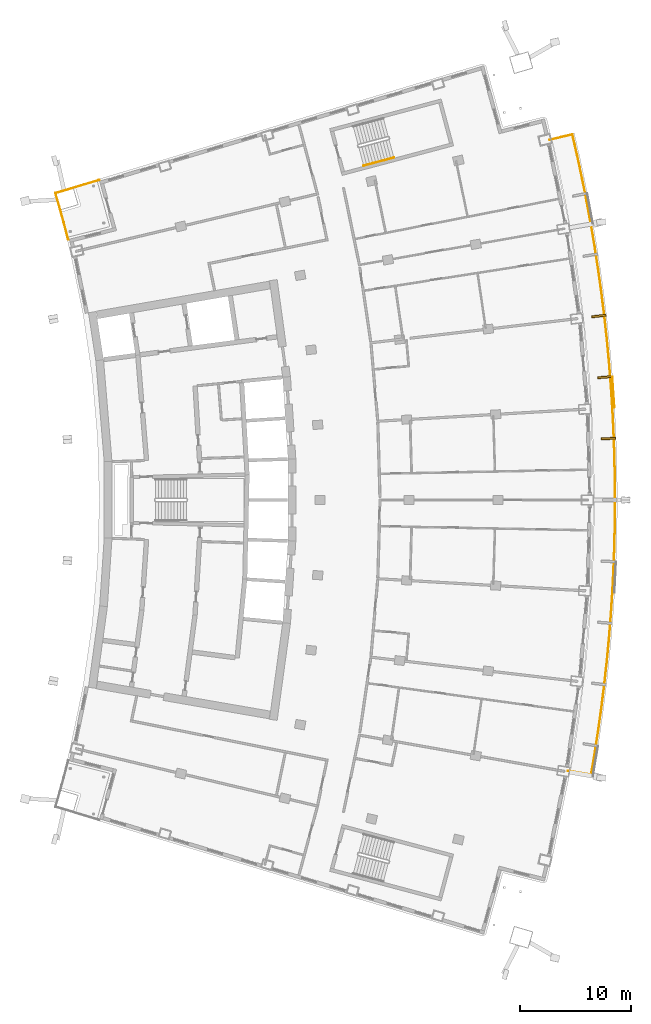
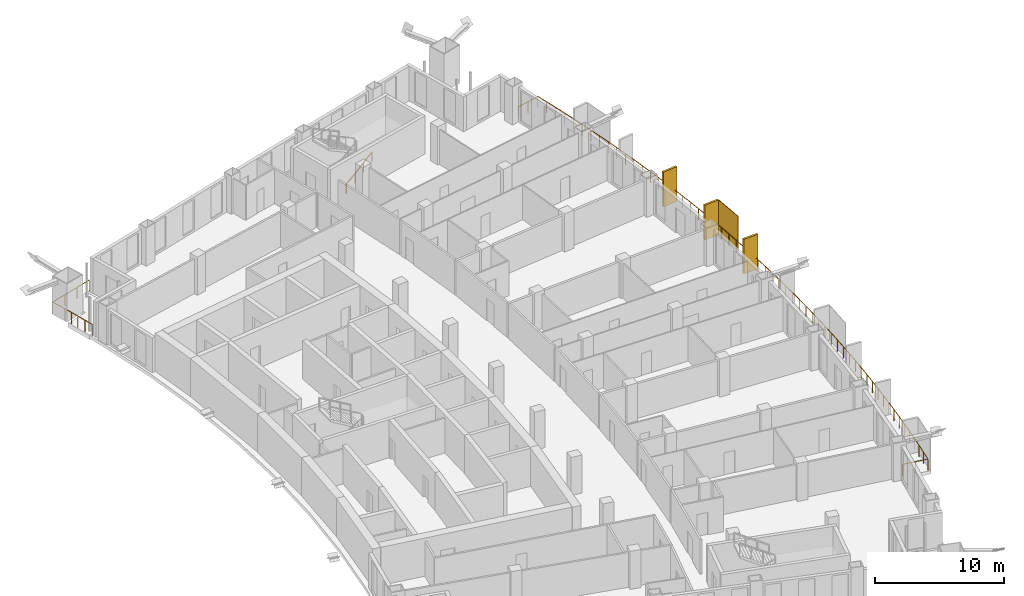
# One storey, part 21 of 22: 4 shading devices, 3 railings.
"""IFC4 building model written with IfcOpenShell, lengths in metres."""

from ifc_helpers import new_model, si_unit, direction, frame, origin, origin_2d, place, context, subcontext, project, spatial, rectangle, extrude, material, layer, layer_set, type_object, element, save


model = new_model("IFC4")

# Units and contexts
model_context = context("Model", 3, precision=1e-05, world=origin(), true_north=direction((0.0, 1.0)))
body_context = subcontext(model_context, "Body", "Model", "MODEL_VIEW")
ifc_project = project(units=[si_unit("LENGTHUNIT", "METRE"), si_unit("AREAUNIT", "SQUARE_METRE"), si_unit("VOLUMEUNIT", "CUBIC_METRE"), si_unit("PLANEANGLEUNIT", "RADIAN"), si_unit("MASSUNIT", "GRAM", prefix="KILO")], contexts=[model_context])

# Site, building, storey
site_placement = place(None, origin())
site = spatial("IfcSite", under=ifc_project, at=site_placement, CompositionType="ELEMENT")
building_placement = place(site_placement, origin())
building = spatial("IfcBuilding", under=site, at=building_placement, Name="Alderwake Tower", CompositionType="ELEMENT")
storey_placement = place(building_placement, frame((0.0, 0.0, 156.800048828125)))
storey = spatial("IfcBuildingStorey", under=building, at=storey_placement, Name="L38", CompositionType="ELEMENT", Elevation=156.800048828125)

# Railings
ifc_material_1 = material(Name="Stainless steel 316 rail and posts", Category="steel")
railing_type_1 = type_object("IfcRailingType", Name="Balcony guard 1100", PredefinedType="GUARDRAIL", material=ifc_material_1)
railing_1_placement = place(storey_placement, frame((58.07568359375, 36.68701171875, 0.0)))
element("IfcRailing", 1, at=railing_1_placement, inside=storey, type_object=railing_type_1, Name="Guard BF04", PredefinedType="GUARDRAIL", context=body_context, shape_type="SweptSolid", body=[
    extrude(rectangle(XDim=0.048095703125, YDim=0.048095703125, at=origin_2d()), frame((0.0, 0.0, 1.076171875), z_axis=(0.984864202872, -0.173327729755, 0.0), x_axis=(0.173327729755, 0.984864202872, 0.0)), (0.0, 0.0, 1.0), 2.10009765625),
    extrude(rectangle(XDim=0.048095703125, YDim=0.048095703125, at=origin_2d()), frame((2.068359375, -0.364013671875, 1.076171875), z_axis=(0.166503332241, 0.986040891826, 0.0), x_axis=(-0.986040891826, 0.166503332241, 0.0)), (0.0, 0.0, 1.0), 1.97509765625),
    extrude(rectangle(XDim=0.048095703125, YDim=0.048095703125, at=origin_2d()), frame((2.397216796875, 1.58349609375, 1.076171875), z_axis=(0.152596463053, 0.988288581065, 0.0), x_axis=(-0.988288581065, 0.152596463053, 0.0)), (0.0, 0.0, 1.0), 2.0751953125),
    extrude(rectangle(XDim=0.048095703125, YDim=0.048095703125, at=origin_2d()), frame((2.7138671875, 3.63427734375, 1.076171875), z_axis=(0.138110156817, 0.990416874141, 0.0), x_axis=(-0.990416874141, 0.138110156817, 0.0)), (0.0, 0.0, 1.0), 2.0751953125),
    extrude(rectangle(XDim=0.048095703125, YDim=0.048095703125, at=origin_2d()), frame((3.00048828125, 5.689697265625, 1.076171875), z_axis=(0.123643785087, 0.992326667186, 0.0), x_axis=(-0.992326667186, 0.123643785087, 0.0)), (0.0, 0.0, 1.0), 2.0751953125),
    extrude(rectangle(XDim=0.048095703125, YDim=0.048095703125, at=origin_2d()), frame((3.257080078125, 7.7490234375, 1.076171875), z_axis=(0.109062650224, 0.994034877822, 0.0), x_axis=(-0.994034877822, 0.109062650224, 0.0)), (0.0, 0.0, 1.0), 2.0751953125),
    extrude(rectangle(XDim=0.048095703125, YDim=0.048095703125, at=origin_2d()), frame((3.4833984375, 9.811767578125, 1.076171875), z_axis=(0.094703608838, 0.99550551303, 0.0), x_axis=(-0.99550551303, 0.094703608838, 0.0)), (0.0, 0.0, 1.0), 2.0751953125),
    extrude(rectangle(XDim=0.048095703125, YDim=0.048095703125, at=origin_2d()), frame((3.679931640625, 11.877685546875, 1.076171875), z_axis=(0.080114603316, 0.996785659174, 0.0), x_axis=(-0.996785659174, 0.080114603316, 0.0)), (0.0, 0.0, 1.0), 2.0751953125),
    extrude(rectangle(XDim=0.048095703125, YDim=0.048095703125, at=origin_2d()), frame((3.84619140625, 13.9462890625, 1.076171875), z_axis=(0.065652181711, 0.997842568262, 0.0), x_axis=(-0.997842568262, 0.065652181711, 0.0)), (0.0, 0.0, 1.0), 2.074951171875),
    extrude(rectangle(XDim=0.048095703125, YDim=0.048095703125, at=origin_2d()), frame((3.982421875, 16.016845703125, 1.076171875), z_axis=(0.050940961426, 0.998701666389, 0.0), x_axis=(-0.998701666389, 0.050940961426, 0.0)), (0.0, 0.0, 1.0), 2.0751953125),
    extrude(rectangle(XDim=0.048095703125, YDim=0.048095703125, at=origin_2d()), frame((4.088134765625, 18.08935546875, 1.076171875), z_axis=(0.03647206835, 0.999334672785, 0.0), x_axis=(-0.999334672785, 0.03647206835, 0.0)), (0.0, 0.0, 1.0), 2.0751953125),
    extrude(rectangle(XDim=0.048095703125, YDim=0.048095703125, at=origin_2d()), frame((4.163818359375, 20.1630859375, 1.076171875), z_axis=(0.021882262081, 0.999760554636, 0.0), x_axis=(-0.999760554636, 0.021882262081, 0.0)), (0.0, 0.0, 1.0), 2.0751953125),
    extrude(rectangle(XDim=0.048095703125, YDim=0.048095703125, at=origin_2d()), frame((4.209228515625, 22.23779296875, 1.076171875), z_axis=(0.007293923616, 0.999973398985, 0.0), x_axis=(-0.999973398985, 0.007293923616, 0.0)), (0.0, 0.0, 1.0), 2.0751953125),
    extrude(rectangle(XDim=0.048095703125, YDim=0.048095703125, at=origin_2d()), frame((4.224365234375, 24.31298828125, 1.076171875), z_axis=(-0.007293923616, 0.999973398985, 0.0), x_axis=(-0.999973398985, -0.007293923616, 0.0)), (0.0, 0.0, 1.0), 2.0751953125),
    extrude(rectangle(XDim=0.048095703125, YDim=0.048095703125, at=origin_2d()), frame((4.209228515625, 26.38818359375, 1.076171875), z_axis=(-0.021882262081, 0.999760554636, 0.0), x_axis=(-0.999760554636, -0.021882262081, 0.0)), (0.0, 0.0, 1.0), 2.0751953125),
    extrude(rectangle(XDim=0.048095703125, YDim=0.048095703125, at=origin_2d()), frame((4.163818359375, 28.462890625, 1.076171875), z_axis=(-0.03647206835, 0.999334672785, 0.0), x_axis=(-0.999334672785, -0.03647206835, 0.0)), (0.0, 0.0, 1.0), 2.0751953125),
    extrude(rectangle(XDim=0.048095703125, YDim=0.048095703125, at=origin_2d()), frame((4.088134765625, 30.53662109375, 1.076171875), z_axis=(-0.050940961426, 0.998701666389, 0.0), x_axis=(-0.998701666389, -0.050940961426, 0.0)), (0.0, 0.0, 1.0), 2.0751953125),
    extrude(rectangle(XDim=0.048095703125, YDim=0.048095703125, at=origin_2d()), frame((3.982421875, 32.609130859375, 1.076171875), z_axis=(-0.065652181711, 0.997842568262, 0.0), x_axis=(-0.997842568262, -0.065652181711, 0.0)), (0.0, 0.0, 1.0), 2.074951171875),
    extrude(rectangle(XDim=0.048095703125, YDim=0.048095703125, at=origin_2d()), frame((3.84619140625, 34.6796875, 1.076171875), z_axis=(-0.080114603316, 0.996785659174, 0.0), x_axis=(-0.996785659174, -0.080114603316, 0.0)), (0.0, 0.0, 1.0), 2.0751953125),
    extrude(rectangle(XDim=0.048095703125, YDim=0.048095703125, at=origin_2d()), frame((3.679931640625, 36.748291015625, 1.076171875), z_axis=(-0.094703608838, 0.99550551303, 0.0), x_axis=(-0.99550551303, -0.094703608838, 0.0)), (0.0, 0.0, 1.0), 2.0751953125),
    extrude(rectangle(XDim=0.048095703125, YDim=0.048095703125, at=origin_2d()), frame((3.4833984375, 38.814208984375, 1.076171875), z_axis=(-0.109062650224, 0.994034877822, 0.0), x_axis=(-0.994034877822, -0.109062650224, 0.0)), (0.0, 0.0, 1.0), 2.0751953125),
    extrude(rectangle(XDim=0.048095703125, YDim=0.048095703125, at=origin_2d()), frame((3.257080078125, 40.876953125, 1.076171875), z_axis=(-0.123643785087, 0.992326667186, 0.0), x_axis=(-0.992326667186, -0.123643785087, 0.0)), (0.0, 0.0, 1.0), 2.0751953125),
    extrude(rectangle(XDim=0.048095703125, YDim=0.048095703125, at=origin_2d()), frame((3.00048828125, 42.936279296875, 1.076171875), z_axis=(-0.138110156817, 0.990416874141, 0.0), x_axis=(-0.990416874141, -0.138110156817, 0.0)), (0.0, 0.0, 1.0), 2.0751953125),
    extrude(rectangle(XDim=0.048095703125, YDim=0.048095703125, at=origin_2d()), frame((2.7138671875, 44.99169921875, 1.076171875), z_axis=(-0.152596463053, 0.988288581065, 0.0), x_axis=(-0.988288581065, -0.152596463053, 0.0)), (0.0, 0.0, 1.0), 2.0751953125),
    extrude(rectangle(XDim=0.048095703125, YDim=0.048095703125, at=origin_2d()), frame((2.397216796875, 47.04248046875, 1.076171875), z_axis=(-0.166821353244, 0.985987137899, 0.0), x_axis=(-0.985987137899, -0.166821353244, 0.0)), (0.0, 0.0, 1.0), 2.0751953125),
    extrude(rectangle(XDim=0.048095703125, YDim=0.048095703125, at=origin_2d()), frame((2.051025390625, 49.088623046875, 1.076171875), z_axis=(-0.181297176514, 0.983428357222, 0.0), x_axis=(-0.983428357222, -0.181297176514, 0.0)), (0.0, 0.0, 1.0), 2.0751953125),
    extrude(rectangle(XDim=0.048095703125, YDim=0.048095703125, at=origin_2d()), frame((1.6748046875, 51.12939453125, 1.076171875), z_axis=(-0.195641013677, 0.980675580285, 0.0), x_axis=(-0.980675580285, -0.195641013677, 0.0)), (0.0, 0.0, 1.0), 2.0751953125),
    extrude(rectangle(XDim=0.048095703125, YDim=0.048095703125, at=origin_2d()), frame((1.268798828125, 53.16455078125, 1.076171875), z_axis=(-0.20987454343, 0.97772832424, 0.0), x_axis=(-0.97772832424, -0.20987454343, 0.0)), (0.0, 0.0, 1.0), 2.0751953125),
    extrude(rectangle(XDim=0.048095703125, YDim=0.048095703125, at=origin_2d()), frame((0.833251953125, 55.193603515625, 1.076171875), z_axis=(-0.22384832601, 0.974623992595, 0.0), x_axis=(-0.974623992595, -0.22384832601, 0.0)), (0.0, 0.0, 1.0), 1.97509765625),
    extrude(rectangle(XDim=0.048095703125, YDim=0.048095703125, at=origin_2d()), frame((0.39111328125, 57.11865234375, 1.076171875), z_axis=(-0.97303154832, -0.230672074545, 0.0), x_axis=(0.230672074545, -0.97303154832, 0.0)), (0.0, 0.0, 1.0), 2.099853515625),
    extrude(rectangle(XDim=0.0419921875, YDim=0.0419921875, at=origin_2d()), frame((0.0, 0.0, 0.0), z_axis=(0.0, 0.0, 1.0), x_axis=(0.984864202872, -0.173327729755, 0.0)), (0.0, 0.0, 1.0), 1.052001953125),
    extrude(rectangle(XDim=0.0419921875, YDim=0.0419921875, at=origin_2d()), frame((1.0341796875, -0.18212890625, 0.0), z_axis=(0.0, 0.0, 1.0), x_axis=(0.984864202872, -0.173327729755, 0.0)), (0.0, 0.0, 1.0), 1.052001953125),
    extrude(rectangle(XDim=0.0419921875, YDim=0.0419921875, at=origin_2d()), frame((2.068359375, -0.364013671875, 0.0), z_axis=(0.0, 0.0, 1.0), x_axis=(0.166503332241, 0.986040891826, 0.0)), (0.0, 0.0, 1.0), 1.052001953125),
    extrude(rectangle(XDim=0.0419921875, YDim=0.0419921875, at=origin_2d()), frame((2.23291015625, 0.60986328125, 0.0), z_axis=(0.0, 0.0, 1.0), x_axis=(0.166503332241, 0.986040891826, 0.0)), (0.0, 0.0, 1.0), 1.052001953125),
    extrude(rectangle(XDim=0.0419921875, YDim=0.0419921875, at=origin_2d()), frame((2.397216796875, 1.58349609375, 0.0), z_axis=(0.0, 0.0, 1.0), x_axis=(0.152596463053, 0.988288581065, 0.0)), (0.0, 0.0, 1.0), 1.052001953125),
    extrude(rectangle(XDim=0.0419921875, YDim=0.0419921875, at=origin_2d()), frame((2.5556640625, 2.60888671875, 0.0), z_axis=(0.0, 0.0, 1.0), x_axis=(0.152596463053, 0.988288581065, 0.0)), (0.0, 0.0, 1.0), 1.052001953125),
    extrude(rectangle(XDim=0.0419921875, YDim=0.0419921875, at=origin_2d()), frame((2.7138671875, 3.63427734375, 0.0), z_axis=(0.0, 0.0, 1.0), x_axis=(0.138110156817, 0.990416874141, 0.0)), (0.0, 0.0, 1.0), 1.052001953125),
    extrude(rectangle(XDim=0.0419921875, YDim=0.0419921875, at=origin_2d()), frame((2.857177734375, 4.662109375, 0.0), z_axis=(0.0, 0.0, 1.0), x_axis=(0.138110156817, 0.990416874141, 0.0)), (0.0, 0.0, 1.0), 1.052001953125),
    extrude(rectangle(XDim=0.0419921875, YDim=0.0419921875, at=origin_2d()), frame((3.00048828125, 5.689697265625, 0.0), z_axis=(0.0, 0.0, 1.0), x_axis=(0.123643785087, 0.992326667186, 0.0)), (0.0, 0.0, 1.0), 1.052001953125),
    extrude(rectangle(XDim=0.0419921875, YDim=0.0419921875, at=origin_2d()), frame((3.12890625, 6.71923828125, 0.0), z_axis=(0.0, 0.0, 1.0), x_axis=(0.123643785087, 0.992326667186, 0.0)), (0.0, 0.0, 1.0), 1.052001953125),
    extrude(rectangle(XDim=0.0419921875, YDim=0.0419921875, at=origin_2d()), frame((3.257080078125, 7.7490234375, 0.0), z_axis=(0.0, 0.0, 1.0), x_axis=(0.109062650224, 0.994034877822, 0.0)), (0.0, 0.0, 1.0), 1.052001953125),
    extrude(rectangle(XDim=0.0419921875, YDim=0.0419921875, at=origin_2d()), frame((3.3701171875, 8.7802734375, 0.0), z_axis=(0.0, 0.0, 1.0), x_axis=(0.109062650224, 0.994034877822, 0.0)), (0.0, 0.0, 1.0), 1.052001953125),
    extrude(rectangle(XDim=0.0419921875, YDim=0.0419921875, at=origin_2d()), frame((3.4833984375, 9.811767578125, 0.0), z_axis=(0.0, 0.0, 1.0), x_axis=(0.094703608838, 0.99550551303, 0.0)), (0.0, 0.0, 1.0), 1.052001953125),
    extrude(rectangle(XDim=0.0419921875, YDim=0.0419921875, at=origin_2d()), frame((3.58154296875, 10.8447265625, 0.0), z_axis=(0.0, 0.0, 1.0), x_axis=(0.094703608838, 0.99550551303, 0.0)), (0.0, 0.0, 1.0), 1.052001953125),
    extrude(rectangle(XDim=0.0419921875, YDim=0.0419921875, at=origin_2d()), frame((3.679931640625, 11.877685546875, 0.0), z_axis=(0.0, 0.0, 1.0), x_axis=(0.080114603316, 0.996785659174, 0.0)), (0.0, 0.0, 1.0), 1.052001953125),
    extrude(rectangle(XDim=0.0419921875, YDim=0.0419921875, at=origin_2d()), frame((3.76318359375, 12.912109375, 0.0), z_axis=(0.0, 0.0, 1.0), x_axis=(0.080114603316, 0.996785659174, 0.0)), (0.0, 0.0, 1.0), 1.052001953125),
    extrude(rectangle(XDim=0.0419921875, YDim=0.0419921875, at=origin_2d()), frame((3.84619140625, 13.9462890625, 0.0), z_axis=(0.0, 0.0, 1.0), x_axis=(0.065652181711, 0.997842568262, 0.0)), (0.0, 0.0, 1.0), 1.052001953125),
    extrude(rectangle(XDim=0.0419921875, YDim=0.0419921875, at=origin_2d()), frame((3.914306640625, 14.9814453125, 0.0), z_axis=(0.0, 0.0, 1.0), x_axis=(0.065652181711, 0.997842568262, 0.0)), (0.0, 0.0, 1.0), 1.052001953125),
    extrude(rectangle(XDim=0.0419921875, YDim=0.0419921875, at=origin_2d()), frame((3.982421875, 16.016845703125, 0.0), z_axis=(0.0, 0.0, 1.0), x_axis=(0.050940961426, 0.998701666389, 0.0)), (0.0, 0.0, 1.0), 1.052001953125),
    extrude(rectangle(XDim=0.0419921875, YDim=0.0419921875, at=origin_2d()), frame((4.03515625, 17.05322265625, 0.0), z_axis=(0.0, 0.0, 1.0), x_axis=(0.050940961426, 0.998701666389, 0.0)), (0.0, 0.0, 1.0), 1.052001953125),
    extrude(rectangle(XDim=0.0419921875, YDim=0.0419921875, at=origin_2d()), frame((4.088134765625, 18.08935546875, 0.0), z_axis=(0.0, 0.0, 1.0), x_axis=(0.03647206835, 0.999334672785, 0.0)), (0.0, 0.0, 1.0), 1.052001953125),
    extrude(rectangle(XDim=0.0419921875, YDim=0.0419921875, at=origin_2d()), frame((4.1259765625, 19.126220703125, 0.0), z_axis=(0.0, 0.0, 1.0), x_axis=(0.03647206835, 0.999334672785, 0.0)), (0.0, 0.0, 1.0), 1.052001953125),
    extrude(rectangle(XDim=0.0419921875, YDim=0.0419921875, at=origin_2d()), frame((4.163818359375, 20.1630859375, 0.0), z_axis=(0.0, 0.0, 1.0), x_axis=(0.021882262081, 0.999760554636, 0.0)), (0.0, 0.0, 1.0), 1.052001953125),
    extrude(rectangle(XDim=0.0419921875, YDim=0.0419921875, at=origin_2d()), frame((4.1865234375, 21.200439453125, 0.0), z_axis=(0.0, 0.0, 1.0), x_axis=(0.021882262081, 0.999760554636, 0.0)), (0.0, 0.0, 1.0), 1.052001953125),
    extrude(rectangle(XDim=0.0419921875, YDim=0.0419921875, at=origin_2d()), frame((4.209228515625, 22.23779296875, 0.0), z_axis=(0.0, 0.0, 1.0), x_axis=(0.007293923616, 0.999973398985, 0.0)), (0.0, 0.0, 1.0), 1.052001953125),
    extrude(rectangle(XDim=0.0419921875, YDim=0.0419921875, at=origin_2d()), frame((4.216796875, 23.275390625, 0.0), z_axis=(0.0, 0.0, 1.0), x_axis=(0.007293923616, 0.999973398985, 0.0)), (0.0, 0.0, 1.0), 1.052001953125),
    extrude(rectangle(XDim=0.0419921875, YDim=0.0419921875, at=origin_2d()), frame((4.224365234375, 24.31298828125, 0.0), z_axis=(0.0, 0.0, 1.0), x_axis=(-0.007293923616, 0.999973398985, 0.0)), (0.0, 0.0, 1.0), 1.052001953125),
    extrude(rectangle(XDim=0.0419921875, YDim=0.0419921875, at=origin_2d()), frame((4.216796875, 25.3505859375, 0.0), z_axis=(0.0, 0.0, 1.0), x_axis=(-0.007293923616, 0.999973398985, 0.0)), (0.0, 0.0, 1.0), 1.052001953125),
    extrude(rectangle(XDim=0.0419921875, YDim=0.0419921875, at=origin_2d()), frame((4.209228515625, 26.38818359375, 0.0), z_axis=(0.0, 0.0, 1.0), x_axis=(-0.021882262081, 0.999760554636, 0.0)), (0.0, 0.0, 1.0), 1.052001953125),
    extrude(rectangle(XDim=0.0419921875, YDim=0.0419921875, at=origin_2d()), frame((4.1865234375, 27.425537109375, 0.0), z_axis=(0.0, 0.0, 1.0), x_axis=(-0.021882262081, 0.999760554636, 0.0)), (0.0, 0.0, 1.0), 1.052001953125),
    extrude(rectangle(XDim=0.0419921875, YDim=0.0419921875, at=origin_2d()), frame((4.163818359375, 28.462890625, 0.0), z_axis=(0.0, 0.0, 1.0), x_axis=(-0.03647206835, 0.999334672785, 0.0)), (0.0, 0.0, 1.0), 1.052001953125),
    extrude(rectangle(XDim=0.0419921875, YDim=0.0419921875, at=origin_2d()), frame((4.1259765625, 29.499755859375, 0.0), z_axis=(0.0, 0.0, 1.0), x_axis=(-0.03647206835, 0.999334672785, 0.0)), (0.0, 0.0, 1.0), 1.052001953125),
    extrude(rectangle(XDim=0.0419921875, YDim=0.0419921875, at=origin_2d()), frame((4.088134765625, 30.53662109375, 0.0), z_axis=(0.0, 0.0, 1.0), x_axis=(-0.050940961426, 0.998701666389, 0.0)), (0.0, 0.0, 1.0), 1.052001953125),
    extrude(rectangle(XDim=0.0419921875, YDim=0.0419921875, at=origin_2d()), frame((4.03515625, 31.57275390625, 0.0), z_axis=(0.0, 0.0, 1.0), x_axis=(-0.050940961426, 0.998701666389, 0.0)), (0.0, 0.0, 1.0), 1.052001953125),
    extrude(rectangle(XDim=0.0419921875, YDim=0.0419921875, at=origin_2d()), frame((3.982421875, 32.609130859375, 0.0), z_axis=(0.0, 0.0, 1.0), x_axis=(-0.065652181711, 0.997842568262, 0.0)), (0.0, 0.0, 1.0), 1.052001953125),
    extrude(rectangle(XDim=0.0419921875, YDim=0.0419921875, at=origin_2d()), frame((3.914306640625, 33.64453125, 0.0), z_axis=(0.0, 0.0, 1.0), x_axis=(-0.065652181711, 0.997842568262, 0.0)), (0.0, 0.0, 1.0), 1.052001953125),
    extrude(rectangle(XDim=0.0419921875, YDim=0.0419921875, at=origin_2d()), frame((3.84619140625, 34.6796875, 0.0), z_axis=(0.0, 0.0, 1.0), x_axis=(-0.080114603316, 0.996785659174, 0.0)), (0.0, 0.0, 1.0), 1.052001953125),
    extrude(rectangle(XDim=0.0419921875, YDim=0.0419921875, at=origin_2d()), frame((3.76318359375, 35.7138671875, 0.0), z_axis=(0.0, 0.0, 1.0), x_axis=(-0.080114603316, 0.996785659174, 0.0)), (0.0, 0.0, 1.0), 1.052001953125),
    extrude(rectangle(XDim=0.0419921875, YDim=0.0419921875, at=origin_2d()), frame((3.679931640625, 36.748291015625, 0.0), z_axis=(0.0, 0.0, 1.0), x_axis=(-0.094703608838, 0.99550551303, 0.0)), (0.0, 0.0, 1.0), 1.052001953125),
    extrude(rectangle(XDim=0.0419921875, YDim=0.0419921875, at=origin_2d()), frame((3.58154296875, 37.78125, 0.0), z_axis=(0.0, 0.0, 1.0), x_axis=(-0.094703608838, 0.99550551303, 0.0)), (0.0, 0.0, 1.0), 1.052001953125),
    extrude(rectangle(XDim=0.0419921875, YDim=0.0419921875, at=origin_2d()), frame((3.4833984375, 38.814208984375, 0.0), z_axis=(0.0, 0.0, 1.0), x_axis=(-0.109062650224, 0.994034877822, 0.0)), (0.0, 0.0, 1.0), 1.052001953125),
    extrude(rectangle(XDim=0.0419921875, YDim=0.0419921875, at=origin_2d()), frame((3.3701171875, 39.845703125, 0.0), z_axis=(0.0, 0.0, 1.0), x_axis=(-0.109062650224, 0.994034877822, 0.0)), (0.0, 0.0, 1.0), 1.052001953125),
    extrude(rectangle(XDim=0.0419921875, YDim=0.0419921875, at=origin_2d()), frame((3.257080078125, 40.876953125, 0.0), z_axis=(0.0, 0.0, 1.0), x_axis=(-0.123643785087, 0.992326667186, 0.0)), (0.0, 0.0, 1.0), 1.052001953125),
    extrude(rectangle(XDim=0.0419921875, YDim=0.0419921875, at=origin_2d()), frame((3.12890625, 41.90673828125, 0.0), z_axis=(0.0, 0.0, 1.0), x_axis=(-0.123643785087, 0.992326667186, 0.0)), (0.0, 0.0, 1.0), 1.052001953125),
    extrude(rectangle(XDim=0.0419921875, YDim=0.0419921875, at=origin_2d()), frame((3.00048828125, 42.936279296875, 0.0), z_axis=(0.0, 0.0, 1.0), x_axis=(-0.138110156817, 0.990416874141, 0.0)), (0.0, 0.0, 1.0), 1.052001953125),
    extrude(rectangle(XDim=0.0419921875, YDim=0.0419921875, at=origin_2d()), frame((2.857177734375, 43.9638671875, 0.0), z_axis=(0.0, 0.0, 1.0), x_axis=(-0.138110156817, 0.990416874141, 0.0)), (0.0, 0.0, 1.0), 1.052001953125),
    extrude(rectangle(XDim=0.0419921875, YDim=0.0419921875, at=origin_2d()), frame((2.7138671875, 44.99169921875, 0.0), z_axis=(0.0, 0.0, 1.0), x_axis=(-0.152596463053, 0.988288581065, 0.0)), (0.0, 0.0, 1.0), 1.052001953125),
    extrude(rectangle(XDim=0.0419921875, YDim=0.0419921875, at=origin_2d()), frame((2.5556640625, 46.01708984375, 0.0), z_axis=(0.0, 0.0, 1.0), x_axis=(-0.152596463053, 0.988288581065, 0.0)), (0.0, 0.0, 1.0), 1.052001953125),
    extrude(rectangle(XDim=0.0419921875, YDim=0.0419921875, at=origin_2d()), frame((2.397216796875, 47.04248046875, 0.0), z_axis=(0.0, 0.0, 1.0), x_axis=(-0.166821353244, 0.985987137899, 0.0)), (0.0, 0.0, 1.0), 1.052001953125),
    extrude(rectangle(XDim=0.0419921875, YDim=0.0419921875, at=origin_2d()), frame((2.22412109375, 48.0654296875, 0.0), z_axis=(0.0, 0.0, 1.0), x_axis=(-0.166821353244, 0.985987137899, 0.0)), (0.0, 0.0, 1.0), 1.052001953125),
    extrude(rectangle(XDim=0.0419921875, YDim=0.0419921875, at=origin_2d()), frame((2.051025390625, 49.088623046875, 0.0), z_axis=(0.0, 0.0, 1.0), x_axis=(-0.181297176514, 0.983428357222, 0.0)), (0.0, 0.0, 1.0), 1.052001953125),
    extrude(rectangle(XDim=0.0419921875, YDim=0.0419921875, at=origin_2d()), frame((1.86279296875, 50.10888671875, 0.0), z_axis=(0.0, 0.0, 1.0), x_axis=(-0.181297176514, 0.983428357222, 0.0)), (0.0, 0.0, 1.0), 1.052001953125),
    extrude(rectangle(XDim=0.0419921875, YDim=0.0419921875, at=origin_2d()), frame((1.6748046875, 51.12939453125, 0.0), z_axis=(0.0, 0.0, 1.0), x_axis=(-0.195641013677, 0.980675580285, 0.0)), (0.0, 0.0, 1.0), 1.052001953125),
    extrude(rectangle(XDim=0.0419921875, YDim=0.0419921875, at=origin_2d()), frame((1.4716796875, 52.14697265625, 0.0), z_axis=(0.0, 0.0, 1.0), x_axis=(-0.195641013677, 0.980675580285, 0.0)), (0.0, 0.0, 1.0), 1.052001953125),
    extrude(rectangle(XDim=0.0419921875, YDim=0.0419921875, at=origin_2d()), frame((1.268798828125, 53.16455078125, 0.0), z_axis=(0.0, 0.0, 1.0), x_axis=(-0.20987454343, 0.97772832424, 0.0)), (0.0, 0.0, 1.0), 1.052001953125),
    extrude(rectangle(XDim=0.0419921875, YDim=0.0419921875, at=origin_2d()), frame((1.051025390625, 54.17919921875, 0.0), z_axis=(0.0, 0.0, 1.0), x_axis=(-0.20987454343, 0.97772832424, 0.0)), (0.0, 0.0, 1.0), 1.052001953125),
    extrude(rectangle(XDim=0.0419921875, YDim=0.0419921875, at=origin_2d()), frame((0.833251953125, 55.193603515625, 0.0), z_axis=(0.0, 0.0, 1.0), x_axis=(-0.22384832601, 0.974623992595, 0.0)), (0.0, 0.0, 1.0), 1.052001953125),
    extrude(rectangle(XDim=0.0419921875, YDim=0.0419921875, at=origin_2d()), frame((0.6123046875, 56.15625, 0.0), z_axis=(0.0, 0.0, 1.0), x_axis=(-0.22384832601, 0.974623992595, 0.0)), (0.0, 0.0, 1.0), 1.052001953125),
    extrude(rectangle(XDim=0.0419921875, YDim=0.0419921875, at=origin_2d()), frame((0.39111328125, 57.11865234375, 0.0), z_axis=(0.0, 0.0, 1.0), x_axis=(-0.97303154832, -0.230672074545, 0.0)), (0.0, 0.0, 1.0), 1.052001953125),
    extrude(rectangle(XDim=0.0419921875, YDim=0.0419921875, at=origin_2d()), frame((-0.63037109375, 56.87646484375, 0.0), z_axis=(0.0, 0.0, 1.0), x_axis=(-0.97303154832, -0.230672074545, 0.0)), (0.0, 0.0, 1.0), 1.052001953125),
    extrude(rectangle(XDim=0.0419921875, YDim=0.0419921875, at=origin_2d()), frame((-1.652099609375, 56.63427734375, 0.0), z_axis=(0.0, 0.0, 1.0), x_axis=(-0.97303154832, -0.230672074545, 0.0)), (0.0, 0.0, 1.0), 1.052001953125),
])
railing_2_placement = place(storey_placement, frame((13.210693359375, 84.387451171875, 0.0)))
element("IfcRailing", 2, at=railing_2_placement, inside=storey, type_object=railing_type_1, Name="Guard terrace RN", PredefinedType="GUARDRAIL", context=body_context, shape_type="SweptSolid", body=[
    extrude(rectangle(XDim=0.048095703125, YDim=0.048095703125, at=origin_2d()), frame((0.0, 0.0, 1.076171875), z_axis=(-0.251385381433, 0.967887075026, 0.0), x_axis=(-0.967887075026, -0.251385381433, 0.0)), (0.0, 0.0, 1.0), 1.6015625),
    extrude(rectangle(XDim=0.048095703125, YDim=0.048095703125, at=origin_2d()), frame((-0.402587890625, 1.550048828125, 1.076171875), z_axis=(-0.266520638672, 0.963829211615, 0.0), x_axis=(-0.963829211615, -0.266520638672, 0.0)), (0.0, 0.0, 1.0), 1.401611328125),
    extrude(rectangle(XDim=0.048095703125, YDim=0.048095703125, at=origin_2d()), frame((-0.776123046875, 2.90087890625, 1.076171875), z_axis=(-0.280093650878, 0.959972680204, 0.0), x_axis=(-0.959972680204, -0.280093650878, 0.0)), (0.0, 0.0, 1.0), 1.30126953125),
    extrude(rectangle(XDim=0.048095703125, YDim=0.048095703125, at=origin_2d()), frame((-1.140625, 4.150146484375, 1.076171875), z_axis=(0.958066871889, 0.286544706789, 0.0), x_axis=(-0.286544706789, 0.958066871889, 0.0)), (0.0, 0.0, 1.0), 4.099853515625),
    extrude(rectangle(XDim=0.0419921875, YDim=0.0419921875, at=origin_2d()), frame((0.0, 0.0, 0.0), z_axis=(0.0, 0.0, 1.0), x_axis=(-0.251385381433, 0.967887075026, 0.0)), (0.0, 0.0, 1.0), 1.052001953125),
    extrude(rectangle(XDim=0.0419921875, YDim=0.0419921875, at=origin_2d()), frame((-0.201171875, 0.77490234375, 0.0), z_axis=(0.0, 0.0, 1.0), x_axis=(-0.251385381433, 0.967887075026, 0.0)), (0.0, 0.0, 1.0), 1.052001953125),
    extrude(rectangle(XDim=0.0419921875, YDim=0.0419921875, at=origin_2d()), frame((-0.402587890625, 1.550048828125, 0.0), z_axis=(0.0, 0.0, 1.0), x_axis=(-0.266520638672, 0.963829211615, 0.0)), (0.0, 0.0, 1.0), 1.052001953125),
    extrude(rectangle(XDim=0.0419921875, YDim=0.0419921875, at=origin_2d()), frame((-0.58935546875, 2.2255859375, 0.0), z_axis=(0.0, 0.0, 1.0), x_axis=(-0.266520638672, 0.963829211615, 0.0)), (0.0, 0.0, 1.0), 1.052001953125),
    extrude(rectangle(XDim=0.0419921875, YDim=0.0419921875, at=origin_2d()), frame((-0.776123046875, 2.90087890625, 0.0), z_axis=(0.0, 0.0, 1.0), x_axis=(-0.280093650878, 0.959972680204, 0.0)), (0.0, 0.0, 1.0), 1.052001953125),
    extrude(rectangle(XDim=0.0419921875, YDim=0.0419921875, at=origin_2d()), frame((-1.140625, 4.150146484375, 0.0), z_axis=(0.0, 0.0, 1.0), x_axis=(0.958066871889, 0.286544706789, 0.0)), (0.0, 0.0, 1.0), 1.052001953125),
    extrude(rectangle(XDim=0.0419921875, YDim=0.0419921875, at=origin_2d()), frame((0.168701171875, 4.541748046875, 0.0), z_axis=(0.0, 0.0, 1.0), x_axis=(0.958066871889, 0.286544706789, 0.0)), (0.0, 0.0, 1.0), 1.052001953125),
    extrude(rectangle(XDim=0.0419921875, YDim=0.0419921875, at=origin_2d()), frame((1.47802734375, 4.933349609375, 0.0), z_axis=(0.0, 0.0, 1.0), x_axis=(0.958066871889, 0.286544706789, 0.0)), (0.0, 0.0, 1.0), 1.052001953125),
    extrude(rectangle(XDim=0.0419921875, YDim=0.0419921875, at=origin_2d()), frame((2.787353515625, 5.324951171875, 0.0), z_axis=(0.0, 0.0, 1.0), x_axis=(0.958066871889, 0.286544706789, 0.0)), (0.0, 0.0, 1.0), 1.052001953125),
])

# Shading devices
ifc_material_2 = material(Name="Bronze anodised aluminium", Category="aluminium")
ifc_layer_1 = layer(ifc_material_2, 0.179931640625)
ifc_layer_set_1 = layer_set([ifc_layer_1], Name="Facade fin 1300")
shading_device_type_1 = type_object("IfcShadingDeviceType", Name="Facade fin 1300", PredefinedType="USERDEFINED", material=ifc_layer_set_1)
for number, where, z_axis, x_axis, name in (
    (3, (61.692626953125, 66.5146484375, 0.0), (0.0, 0.0, 1.0), (0.999243494356, 0.038890088543, 0.0), "Fin"),
    (4, (61.37109375, 72.02099609375, 0.0), (0.0, 0.0, 1.0), (0.996975122026, 0.077721335943, 0.0), "Fin"),
    (5, (60.83544921875, 77.510498046875, 0.0), (0.0, 0.0, 1.0), (0.993198315083, 0.116434990084, 0.0), "Fin"),
):
    element("IfcShadingDevice", number, at=place(storey_placement, frame(where, z_axis=z_axis, x_axis=x_axis)), inside=storey, type_object=shading_device_type_1, Name=name, ObjectType="FIN", PredefinedType="USERDEFINED", context=body_context, shape_type="SweptSolid", body=[
        extrude(rectangle(XDim=1.300048828125, YDim=0.179931640625, at=origin_2d()), origin(), (0.0, 0.0, 1.0), 3.280029296875),
    ])
ifc_material_3 = material(Name="Perforated bronze anodised aluminium", Category="aluminium")
ifc_layer_2 = layer(ifc_material_3, 0.050048828125)
ifc_layer_set_2 = layer_set([ifc_layer_2], Name="Perforated screen panel")
shading_device_type_2 = type_object("IfcShadingDeviceType", Name="Perforated screen panel", PredefinedType="USERDEFINED", material=ifc_layer_set_2)
shading_device_placement = place(storey_placement, frame((62.138427734375, 70.6875, 0.0), z_axis=(0.0, 0.0, 1.0), x_axis=(0.997685465774, 0.067997877779, 0.0)))
element("IfcShadingDevice", 6, at=shading_device_placement, inside=storey, type_object=shading_device_type_2, Name="Screen panel", ObjectType="SCREEN", PredefinedType="USERDEFINED", context=body_context, shape_type="SweptSolid", body=[
    extrude(rectangle(XDim=0.050048828125, YDim=2.7783203125, at=origin_2d()), origin(), (0.0, 0.0, 1.0), 3.280029296875),
])

# Railing
ifc_material_4 = material(Name="Stainless steel handrail", Category="steel")
railing_type_2 = type_object("IfcRailingType", Name="Stair handrail 900", PredefinedType="HANDRAIL", material=ifc_material_4)
railing_3_placement = place(storey_placement, frame((39.731689453125, 91.002685546875, 0.16357421875)))
element("IfcRailing", 7, at=railing_3_placement, inside=storey, type_object=railing_type_2, Name="L38 ST-A stair handrail 1", PredefinedType="HANDRAIL", context=body_context, shape_type="SweptSolid", body=[
    extrude(rectangle(XDim=0.048095703125, YDim=0.048095703125, at=origin_2d()), frame((0.0, 0.0, 0.8759765625), z_axis=(0.834258940753, 0.22222815314, 0.504605457487), x_axis=(-0.257402139082, 0.966304371715, 0.0)), (0.0, 0.0, 1.0), 3.2431640625),
    extrude(rectangle(XDim=0.0419921875, YDim=0.0419921875, at=origin_2d()), frame((0.0, 0.0, 0.0), z_axis=(0.0, 0.0, 1.0), x_axis=(0.966304371715, 0.257402139082, 0.0)), (0.0, 0.0, 1.0), 0.851806640625),
    extrude(rectangle(XDim=0.0419921875, YDim=0.0419921875, at=origin_2d()), frame((0.90185546875, 0.240234375, 0.54541015625), z_axis=(0.0, 0.0, 1.0), x_axis=(0.966304371715, 0.257402139082, 0.0)), (0.0, 0.0, 1.0), 0.851806640625),
    extrude(rectangle(XDim=0.0419921875, YDim=0.0419921875, at=origin_2d()), frame((1.8037109375, 0.48046875, 1.091064453125), z_axis=(0.0, 0.0, 1.0), x_axis=(0.966304371715, 0.257402139082, 0.0)), (0.0, 0.0, 1.0), 0.851806640625),
    extrude(rectangle(XDim=0.0419921875, YDim=0.0419921875, at=origin_2d()), frame((2.70556640625, 0.720703125, 1.636474609375), z_axis=(0.0, 0.0, 1.0), x_axis=(0.966304371715, 0.257402139082, 0.0)), (0.0, 0.0, 1.0), 0.851806640625),
])

save(model, "model.ifc")
